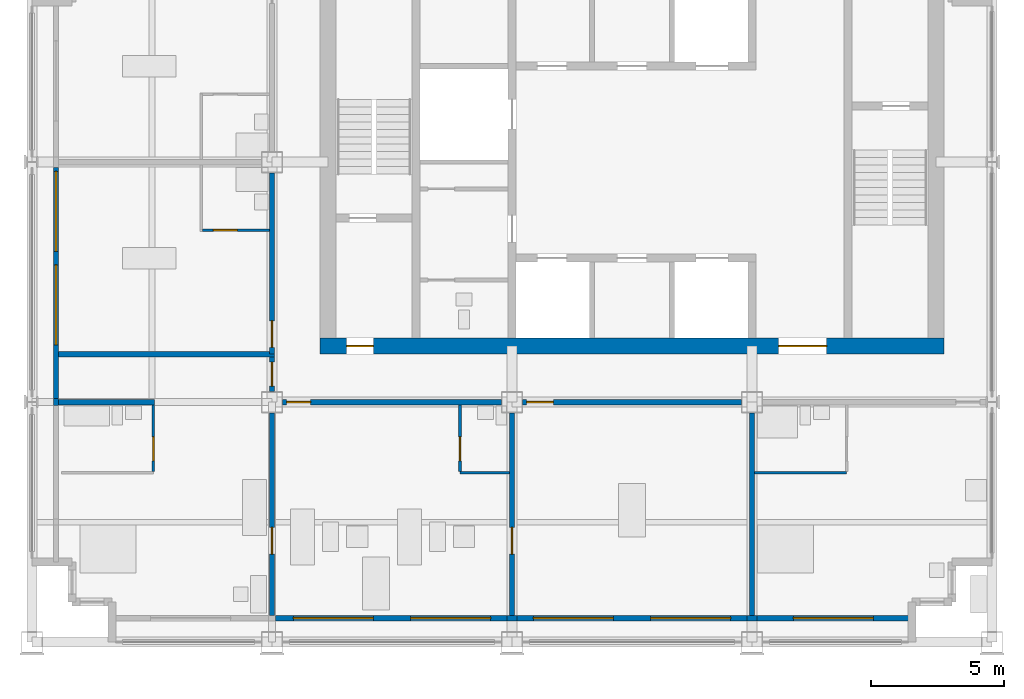
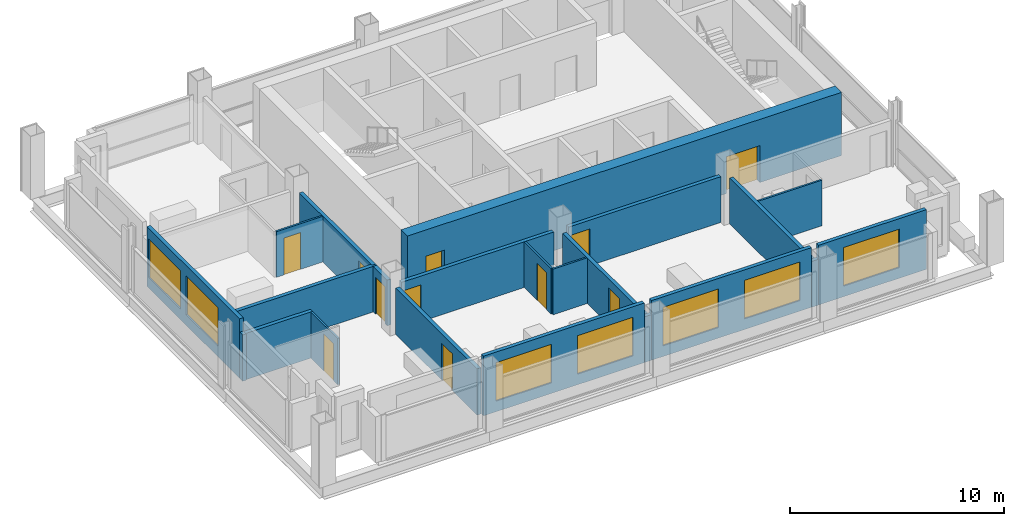
# One storey, part 6 of 11: 22 walls, 11 doors, 7 windows, 18 openings.
"""IFC4 building model written with IfcOpenShell, lengths in metres."""

from ifc_helpers import new_model, si_unit, direction, frame, frame_2d, origin, place, context, subcontext, project, spatial, rectangle, extrude, material, layer, layer_set, type_object, element, fill, save


model = new_model("IFC4")

# Units and contexts
model_context = context("Model", 3, precision=1e-05, world=origin(), true_north=direction((0.0, 1.0)))
body_context = subcontext(model_context, "Body", "Model", "MODEL_VIEW")
ifc_project = project(units=[si_unit("LENGTHUNIT", "METRE"), si_unit("AREAUNIT", "SQUARE_METRE"), si_unit("VOLUMEUNIT", "CUBIC_METRE"), si_unit("PLANEANGLEUNIT", "RADIAN"), si_unit("MASSUNIT", "GRAM", prefix="KILO")], contexts=[model_context])

# Site, building, storey
site_placement = place(None, origin())
site = spatial("IfcSite", under=ifc_project, at=site_placement, CompositionType="ELEMENT")
building_placement = place(site_placement, origin())
building = spatial("IfcBuilding", under=site, at=building_placement, Name="Loomwork Tower", CompositionType="ELEMENT")
storey_placement = place(building_placement, frame((0.0, 0.0, 262.60009765625)))
storey = spatial("IfcBuildingStorey", under=building, at=storey_placement, Name="L72", CompositionType="ELEMENT", Elevation=262.60009765625)

# Wall, openings, doors
ifc_material_1 = material(Name="Concrete 14000 psi (97 MPa)", Category="concrete")
ifc_layer_1 = layer(ifc_material_1, 0.60009765625)
ifc_layer_set_1 = layer_set([ifc_layer_1], Name="Core shear wall 600")
wall_type_1 = type_object("IfcWallType", Name="Core shear wall 600", PredefinedType="SHEAR", material=ifc_layer_set_1)
wall_1_placement = place(storey_placement, frame((10.800048828125, 11.10009765625, 0.0), z_axis=(0.0, 0.0, 1.0), x_axis=(1.0, 0.0, 0.0)))
wall_1 = element("IfcWall", 1, at=wall_1_placement, inside=storey, type_object=wall_type_1, Name="Core wall south L72", PredefinedType="SHEAR", context=body_context, shape_type="SweptSolid", body=[
    extrude(rectangle(XDim=23.39990234375, YDim=0.60009765625, at=frame_2d((11.699951171875, 0.0))), origin(), (0.0, 0.0, 1.0), 3.599853515625),
])
opening_1_placement = place(wall_1_placement, frame((1.0, 0.0, 0.0)))
opening_1 = element("IfcOpeningElement", 2, at=opening_1_placement, cuts=wall_1, Name="Opening D4", PredefinedType="OPENING", context=body_context, shape_type="SweptSolid", body=[
    extrude(rectangle(XDim=1.0, YDim=2.10009765625, at=frame_2d((0.5, 1.050048828125))), frame((0.0, 0.31005859375, 0.0), z_axis=(0.0, -1.0, 0.0), x_axis=(1.0, 0.0, 0.0)), (0.0, 0.0, 1.0), 0.6201171875),
])
opening_2_placement = place(wall_1_placement, frame((17.199951171875, 0.0, 0.0)))
opening_2 = element("IfcOpeningElement", 3, at=opening_2_placement, cuts=wall_1, Name="Opening D6", PredefinedType="OPENING", context=body_context, shape_type="SweptSolid", body=[
    extrude(rectangle(XDim=1.800048828125, YDim=2.10009765625, at=frame_2d((0.89990234375, 1.050048828125))), frame((0.0, 0.31005859375, 0.0), z_axis=(0.0, -1.0, 0.0), x_axis=(1.0, 0.0, 0.0)), (0.0, 0.0, 1.0), 0.6201171875),
])
ifc_material_2 = material(Name="Hollow metal door and frame")
door_type_1 = type_object("IfcDoorType", Name="Lobby passage double door 1800", OperationType="DOUBLE_DOOR_SINGLE_SWING", PredefinedType="DOOR", material=ifc_material_2)
door_1_placement = place(opening_2_placement, origin())
door_1 = element("IfcDoor", 4, at=door_1_placement, inside=storey, type_object=door_type_1, Name="Lobby passage door south", OperationType="DOUBLE_DOOR_SINGLE_SWING", OverallHeight=2.10009765625, OverallWidth=1.800048828125, PredefinedType="DOOR", context=body_context, shape_type="SweptSolid", body=[
    extrude(rectangle(XDim=1.800048828125, YDim=2.10009765625, at=frame_2d((0.89990234375, 1.050048828125))), frame((0.0, 0.02490234375, 0.0), z_axis=(0.0, -1.0, 0.0), x_axis=(1.0, 0.0, 0.0)), (0.0, 0.0, 1.0), 0.050048828125),
])
fill(opening_2, door_1)
ifc_material_3 = material(Name="Hollow metal door and frame")
door_type_2 = type_object("IfcDoorType", Name="Stair door 1000", OperationType="SINGLE_SWING_RIGHT", PredefinedType="DOOR", material=ifc_material_3)
door_2_placement = place(opening_1_placement, origin())
door_2 = element("IfcDoor", 5, at=door_2_placement, inside=storey, type_object=door_type_2, Name="Stair A vestibule door", OperationType="SINGLE_SWING_LEFT", OverallHeight=2.10009765625, OverallWidth=1.0, PredefinedType="DOOR", context=body_context, shape_type="SweptSolid", body=[
    extrude(rectangle(XDim=1.0, YDim=2.10009765625, at=frame_2d((0.5, 1.050048828125))), frame((0.0, 0.02490234375, 0.0), z_axis=(0.0, -1.0, 0.0), x_axis=(1.0, 0.0, 0.0)), (0.0, 0.0, 1.0), 0.050048828125),
])
fill(opening_1, door_2)

# Wall
ifc_material_4 = material(Name="Gypsum board on steel studs, one-hour", Category="steel")
ifc_layer_2 = layer(ifc_material_4, 0.199951171875)
ifc_layer_set_2 = layer_set([ifc_layer_2], Name="Corridor wall 200")
wall_type_2 = type_object("IfcWallType", Name="Corridor wall 200", PredefinedType="PARTITIONING", material=ifc_layer_set_2)
wall_2_placement = place(storey_placement, frame((1.0, 9.0, 0.0), z_axis=(0.0, 0.0, 1.0), x_axis=(1.0, 0.0, 0.0)))
element("IfcWall", 6, at=wall_2_placement, inside=storey, type_object=wall_type_2, Name="South corridor wall 1", PredefinedType="PARTITIONING", context=body_context, shape_type="SweptSolid", body=[
    extrude(rectangle(XDim=3.60009765625, YDim=0.199951171875, at=frame_2d((1.800048828125, 0.0))), origin(), (0.0, 0.0, 1.0), 2.637939453125),
])

# Wall, opening, door
wall_3_placement = place(storey_placement, frame((9.39990234375, 9.0, 0.0), z_axis=(0.0, 0.0, 1.0), x_axis=(1.0, 0.0, 0.0)))
wall_3 = element("IfcWall", 7, at=wall_3_placement, inside=storey, type_object=wall_type_2, Name="South corridor wall 2", PredefinedType="PARTITIONING", context=body_context, shape_type="SweptSolid", body=[
    extrude(rectangle(XDim=8.2001953125, YDim=0.199951171875, at=frame_2d((4.10009765625, 0.0))), origin(), (0.0, 0.0, 1.0), 2.60498046875),
])
opening_3_placement = place(wall_3_placement, frame((0.14990234375, 0.0, 0.0)))
opening_3 = element("IfcOpeningElement", 8, at=opening_3_placement, cuts=wall_3, Name="Opening D1", PredefinedType="OPENING", context=body_context, shape_type="SweptSolid", body=[
    extrude(rectangle(XDim=0.89990234375, YDim=2.10009765625, at=frame_2d((0.449951171875, 1.050048828125))), frame((0.0, 0.10986328125, 0.0), z_axis=(0.0, -1.0, 0.0), x_axis=(1.0, 0.0, 0.0)), (0.0, 0.0, 1.0), 0.219970703125),
])
ifc_material_5 = material(Name="Hollow metal door and frame")
door_type_3 = type_object("IfcDoorType", Name="Guest room entry door 900", OperationType="SINGLE_SWING_LEFT", PredefinedType="DOOR", material=ifc_material_5)
door_3_placement = place(opening_3_placement, frame((0.89990234375, 0.0, 0.0), z_axis=(0.0, 0.0, 1.0), x_axis=(-1.0, 0.0, 0.0)))
door_3 = element("IfcDoor", 9, at=door_3_placement, inside=storey, type_object=door_type_3, Name="Guest room entry door L72 2", OperationType="SINGLE_SWING_RIGHT", OverallHeight=2.10009765625, OverallWidth=0.89990234375, PredefinedType="DOOR", context=body_context, shape_type="SweptSolid", body=[
    extrude(rectangle(XDim=0.89990234375, YDim=2.10009765625, at=frame_2d((0.449951171875, 1.050048828125))), frame((0.0, 0.02490234375, 0.0), z_axis=(0.0, -1.0, 0.0), x_axis=(1.0, 0.0, 0.0)), (0.0, 0.0, 1.0), 0.050048828125),
])
fill(opening_3, door_3)

wall_4_placement = place(storey_placement, frame((18.39990234375, 9.0, 0.0), z_axis=(0.0, 0.0, 1.0), x_axis=(1.0, 0.0, 0.0)))
wall_4 = element("IfcWall", 10, at=wall_4_placement, inside=storey, type_object=wall_type_2, Name="South corridor wall 3", PredefinedType="PARTITIONING", context=body_context, shape_type="SweptSolid", body=[
    extrude(rectangle(XDim=8.2001953125, YDim=0.199951171875, at=frame_2d((4.10009765625, 0.0))), origin(), (0.0, 0.0, 1.0), 2.60498046875),
])
opening_4_placement = place(wall_4_placement, frame((0.14990234375, 0.0, 0.0)))
opening_4 = element("IfcOpeningElement", 11, at=opening_4_placement, cuts=wall_4, Name="Opening D5", PredefinedType="OPENING", context=body_context, shape_type="SweptSolid", body=[
    extrude(rectangle(XDim=1.0, YDim=2.10009765625, at=frame_2d((0.5, 1.050048828125))), frame((0.0, 0.10986328125, 0.0), z_axis=(0.0, -1.0, 0.0), x_axis=(1.0, 0.0, 0.0)), (0.0, 0.0, 1.0), 0.219970703125),
])
ifc_material_6 = material(Name="Hollow metal door and frame")
door_type_4 = type_object("IfcDoorType", Name="Service door 1000", OperationType="SINGLE_SWING_LEFT", PredefinedType="DOOR", material=ifc_material_6)
door_4_placement = place(opening_4_placement, frame((1.0, 0.0, 0.0), z_axis=(0.0, 0.0, 1.0), x_axis=(-1.0, 0.0, 0.0)))
door_4 = element("IfcDoor", 12, at=door_4_placement, inside=storey, type_object=door_type_4, Name="Presidential suite dining room door L72 3", OperationType="SINGLE_SWING_RIGHT", OverallHeight=2.10009765625, OverallWidth=1.0, PredefinedType="DOOR", context=body_context, shape_type="SweptSolid", body=[
    extrude(rectangle(XDim=1.0, YDim=2.10009765625, at=frame_2d((0.5, 1.050048828125))), frame((0.0, 0.02490234375, 0.0), z_axis=(0.0, -1.0, 0.0), x_axis=(1.0, 0.0, 0.0)), (0.0, 0.0, 1.0), 0.050048828125),
])
fill(opening_4, door_4)

wall_5_placement = place(storey_placement, frame((9.0, 10.800048828125, 0.0), z_axis=(0.0, 0.0, 1.0), x_axis=(0.0, 1.0, 0.0)))
wall_5 = element("IfcWall", 13, at=wall_5_placement, inside=storey, type_object=wall_type_2, Name="West corridor wall 1", PredefinedType="PARTITIONING", context=body_context, shape_type="SweptSolid", body=[
    extrude(rectangle(XDim=6.800048828125, YDim=0.199951171875, at=frame_2d((3.39990234375, 0.0))), origin(), (0.0, 0.0, 1.0), 2.60498046875),
])
opening_5_placement = place(wall_5_placement, frame((0.25, 0.0, 0.0)))
opening_5 = element("IfcOpeningElement", 14, at=opening_5_placement, cuts=wall_5, Name="Opening D15", PredefinedType="OPENING", context=body_context, shape_type="SweptSolid", body=[
    extrude(rectangle(XDim=1.0, YDim=2.10009765625, at=frame_2d((0.5, 1.050048828125))), frame((0.0, 0.10986328125, 0.0), z_axis=(0.0, -1.0, 0.0), x_axis=(1.0, 0.0, 0.0)), (0.0, 0.0, 1.0), 0.219970703125),
])
ifc_material_7 = material(Name="Hollow metal door and frame")
door_type_5 = type_object("IfcDoorType", Name="Fire-rated room door 1000", OperationType="SINGLE_SWING_LEFT", PredefinedType="DOOR", material=ifc_material_7)
door_5_placement = place(opening_5_placement, origin())
door_5 = element("IfcDoor", 15, at=door_5_placement, inside=storey, type_object=door_type_5, Name="Spa treatment room door L72 5", OperationType="SINGLE_SWING_LEFT", OverallHeight=2.10009765625, OverallWidth=1.0, PredefinedType="DOOR", context=body_context, shape_type="SweptSolid", body=[
    extrude(rectangle(XDim=1.0, YDim=2.10009765625, at=frame_2d((0.5, 1.050048828125))), frame((0.0, 0.02490234375, 0.0), z_axis=(0.0, -1.0, 0.0), x_axis=(1.0, 0.0, 0.0)), (0.0, 0.0, 1.0), 0.050048828125),
])
fill(opening_5, door_5)

# Wall
wall_6_placement = place(storey_placement, frame((1.0, 10.800048828125, 0.0), z_axis=(0.0, 0.0, 1.0), x_axis=(1.0, 0.0, 0.0)))
element("IfcWall", 16, at=wall_6_placement, inside=storey, type_object=wall_type_2, Name="West band end wall S", PredefinedType="PARTITIONING", context=body_context, shape_type="SweptSolid", body=[
    extrude(rectangle(XDim=8.10009765625, YDim=0.199951171875, at=frame_2d((4.050048828125, 0.0))), origin(), (0.0, 0.0, 1.0), 2.60400390625),
])

# Wall, opening, door
wall_7_placement = place(storey_placement, frame((9.0, 9.39990234375, 0.0), z_axis=(0.0, 0.0, 1.0), x_axis=(0.0, 1.0, 0.0)))
wall_7 = element("IfcWall", 17, at=wall_7_placement, inside=storey, type_object=wall_type_2, Name="Corner suite foyer wall", PredefinedType="PARTITIONING", context=body_context, shape_type="SweptSolid", body=[
    extrude(rectangle(XDim=1.300048828125, YDim=0.199951171875, at=frame_2d((0.64990234375, 0.0))), origin(), (0.0, 0.0, 1.0), 2.60498046875),
])
opening_6_placement = place(wall_7_placement, frame((0.199951171875, 0.0, 0.0)))
opening_6 = element("IfcOpeningElement", 18, at=opening_6_placement, cuts=wall_7, Name="Opening D1", PredefinedType="OPENING", context=body_context, shape_type="SweptSolid", body=[
    extrude(rectangle(XDim=0.89990234375, YDim=2.10009765625, at=frame_2d((0.449951171875, 1.050048828125))), frame((0.0, 0.10986328125, 0.0), z_axis=(0.0, -1.0, 0.0), x_axis=(1.0, 0.0, 0.0)), (0.0, 0.0, 1.0), 0.219970703125),
])
door_6_placement = place(opening_6_placement, origin())
door_6 = element("IfcDoor", 19, at=door_6_placement, inside=storey, type_object=door_type_3, Name="Guest room entry door L72 1", OperationType="SINGLE_SWING_RIGHT", OverallHeight=2.10009765625, OverallWidth=0.89990234375, PredefinedType="DOOR", context=body_context, shape_type="SweptSolid", body=[
    extrude(rectangle(XDim=0.89990234375, YDim=2.10009765625, at=frame_2d((0.449951171875, 1.050048828125))), frame((0.0, 0.02490234375, 0.0), z_axis=(0.0, -1.0, 0.0), x_axis=(1.0, 0.0, 0.0)), (0.0, 0.0, 1.0), 0.050048828125),
])
fill(opening_6, door_6)

ifc_material_8 = material(Name="Cement board on steel studs", Category="steel")
ifc_layer_3 = layer(ifc_material_8, 0.10009765625)
ifc_layer_set_3 = layer_set([ifc_layer_3], Name="En-suite partition 100")
wall_type_3 = type_object("IfcWallType", Name="En-suite partition 100", PredefinedType="PARTITIONING", material=ifc_layer_set_3)
wall_8_placement = place(storey_placement, frame((4.550048828125, 8.89990234375, 0.0), z_axis=(0.0, 0.0, 1.0), x_axis=(0.0, -1.0, 0.0)))
wall_8 = element("IfcWall", 20, at=wall_8_placement, inside=storey, type_object=wall_type_3, Name="En-suite side wall L72 room 1", PredefinedType="PARTITIONING", context=body_context, shape_type="SweptSolid", body=[
    extrude(rectangle(XDim=2.5, YDim=0.10009765625, at=frame_2d((1.25, 0.0))), origin(), (0.0, 0.0, 1.0), 2.637939453125),
])
opening_7_placement = place(wall_8_placement, frame((1.199951171875, 0.0, 0.0)))
opening_7 = element("IfcOpeningElement", 21, at=opening_7_placement, cuts=wall_8, Name="Opening D2", PredefinedType="OPENING", context=body_context, shape_type="SweptSolid", body=[
    extrude(rectangle(XDim=0.89990234375, YDim=2.10009765625, at=frame_2d((0.449951171875, 1.050048828125))), frame((0.0, 0.06005859375, 0.0), z_axis=(0.0, -1.0, 0.0), x_axis=(1.0, 0.0, 0.0)), (0.0, 0.0, 1.0), 0.1201171875),
])
ifc_material_9 = material(Name="Hollow metal door and frame")
door_type_6 = type_object("IfcDoorType", Name="En-suite door 900", OperationType="SINGLE_SWING_LEFT", PredefinedType="DOOR", material=ifc_material_9)
door_7_placement = place(opening_7_placement, frame((0.89990234375, 0.0, 0.0), z_axis=(0.0, 0.0, 1.0), x_axis=(-1.0, 0.0, 0.0)))
door_7 = element("IfcDoor", 22, at=door_7_placement, inside=storey, type_object=door_type_6, Name="En-suite door room 1", OperationType="SINGLE_SWING_LEFT", OverallHeight=2.10009765625, OverallWidth=0.89990234375, PredefinedType="DOOR", context=body_context, shape_type="SweptSolid", body=[
    extrude(rectangle(XDim=0.89990234375, YDim=2.10009765625, at=frame_2d((0.449951171875, 1.050048828125))), frame((0.0, 0.02490234375, 0.0), z_axis=(0.0, -1.0, 0.0), x_axis=(1.0, 0.0, 0.0)), (0.0, 0.0, 1.0), 0.050048828125),
])
fill(opening_7, door_7)

# Wall
wall_9_placement = place(storey_placement, frame((16.050048828125, 6.35009765625, 0.0), z_axis=(0.0, 0.0, 1.0), x_axis=(1.0, 0.0, 0.0)))
element("IfcWall", 23, at=wall_9_placement, inside=storey, type_object=wall_type_3, Name="En-suite wall L72 room 2", PredefinedType="PARTITIONING", context=body_context, shape_type="SweptSolid", body=[
    extrude(rectangle(XDim=1.849853515625, YDim=0.10009765625, at=frame_2d((0.9248046875, 0.0))), origin(), (0.0, 0.0, 1.0), 2.60400390625),
])

# Wall, opening, door
wall_10_placement = place(storey_placement, frame((16.050048828125, 8.89990234375, 0.0), z_axis=(0.0, 0.0, 1.0), x_axis=(0.0, -1.0, 0.0)))
wall_10 = element("IfcWall", 24, at=wall_10_placement, inside=storey, type_object=wall_type_3, Name="En-suite side wall L72 room 2", PredefinedType="PARTITIONING", context=body_context, shape_type="SweptSolid", body=[
    extrude(rectangle(XDim=2.5, YDim=0.10009765625, at=frame_2d((1.25, 0.0))), origin(), (0.0, 0.0, 1.0), 2.60400390625),
])
opening_8_placement = place(wall_10_placement, frame((1.199951171875, 0.0, 0.0)))
opening_8 = element("IfcOpeningElement", 25, at=opening_8_placement, cuts=wall_10, Name="Opening D2", PredefinedType="OPENING", context=body_context, shape_type="SweptSolid", body=[
    extrude(rectangle(XDim=0.89990234375, YDim=2.10009765625, at=frame_2d((0.449951171875, 1.050048828125))), frame((0.0, 0.06005859375, 0.0), z_axis=(0.0, -1.0, 0.0), x_axis=(1.0, 0.0, 0.0)), (0.0, 0.0, 1.0), 0.1201171875),
])
door_8_placement = place(opening_8_placement, origin())
door_8 = element("IfcDoor", 26, at=door_8_placement, inside=storey, type_object=door_type_6, Name="Suite powder room door room 2", OperationType="SINGLE_SWING_RIGHT", OverallHeight=2.10009765625, OverallWidth=0.89990234375, PredefinedType="DOOR", context=body_context, shape_type="SweptSolid", body=[
    extrude(rectangle(XDim=0.89990234375, YDim=2.10009765625, at=frame_2d((0.449951171875, 1.050048828125))), frame((0.0, 0.02490234375, 0.0), z_axis=(0.0, -1.0, 0.0), x_axis=(1.0, 0.0, 0.0)), (0.0, 0.0, 1.0), 0.050048828125),
])
fill(opening_8, door_8)

# Wall
wall_11_placement = place(storey_placement, frame((27.10009765625, 6.35009765625, 0.0), z_axis=(0.0, 0.0, 1.0), x_axis=(1.0, 0.0, 0.0)))
element("IfcWall", 27, at=wall_11_placement, inside=storey, type_object=wall_type_3, Name="En-suite wall L72 room 4", PredefinedType="PARTITIONING", context=body_context, shape_type="SweptSolid", body=[
    extrude(rectangle(XDim=3.449951171875, YDim=0.10009765625, at=frame_2d((1.72509765625, 0.0))), origin(), (0.0, 0.0, 1.0), 2.60400390625),
])

# Wall, opening, door
wall_12_placement = place(storey_placement, frame((8.89990234375, 15.449951171875, 0.0), z_axis=(0.0, 0.0, 1.0), x_axis=(-1.0, 0.0, 0.0)))
wall_12 = element("IfcWall", 28, at=wall_12_placement, inside=storey, type_object=wall_type_3, Name="En-suite side wall L72 room 5", PredefinedType="PARTITIONING", context=body_context, shape_type="SweptSolid", body=[
    extrude(rectangle(XDim=2.5, YDim=0.10009765625, at=frame_2d((1.25, 0.0))), origin(), (0.0, 0.0, 1.0), 2.60400390625),
])
opening_9_placement = place(wall_12_placement, frame((1.199951171875, 0.0, 0.0)))
opening_9 = element("IfcOpeningElement", 29, at=opening_9_placement, cuts=wall_12, Name="Opening D2", PredefinedType="OPENING", context=body_context, shape_type="SweptSolid", body=[
    extrude(rectangle(XDim=0.89990234375, YDim=2.10009765625, at=frame_2d((0.449951171875, 1.050048828125))), frame((0.0, 0.06005859375, 0.0), z_axis=(0.0, -1.0, 0.0), x_axis=(1.0, 0.0, 0.0)), (0.0, 0.0, 1.0), 0.1201171875),
])
door_9_placement = place(opening_9_placement, frame((0.89990234375, 0.0, 0.0), z_axis=(0.0, 0.0, 1.0), x_axis=(-1.0, 0.0, 0.0)))
door_9 = element("IfcDoor", 30, at=door_9_placement, inside=storey, type_object=door_type_6, Name="Treatment shower room door room 5", OperationType="SINGLE_SWING_LEFT", OverallHeight=2.10009765625, OverallWidth=0.89990234375, PredefinedType="DOOR", context=body_context, shape_type="SweptSolid", body=[
    extrude(rectangle(XDim=0.89990234375, YDim=2.10009765625, at=frame_2d((0.449951171875, 1.050048828125))), frame((0.0, 0.02490234375, 0.0), z_axis=(0.0, -1.0, 0.0), x_axis=(1.0, 0.0, 0.0)), (0.0, 0.0, 1.0), 0.050048828125),
])
fill(opening_9, door_9)

ifc_material_10 = material(Name="Gypsum board on steel studs, acoustic", Category="steel")
ifc_layer_4 = layer(ifc_material_10, 0.199951171875)
ifc_layer_set_4 = layer_set([ifc_layer_4], Name="Guest room party wall 200")
wall_type_4 = type_object("IfcWallType", Name="Guest room party wall 200", PredefinedType="PARTITIONING", material=ifc_layer_set_4)
wall_13_placement = place(storey_placement, frame((9.0, 8.60009765625, 0.0), z_axis=(0.0, 0.0, 1.0), x_axis=(0.0, -1.0, 0.0)))
wall_13 = element("IfcWall", 31, at=wall_13_placement, inside=storey, type_object=wall_type_4, Name="Guest room party wall S 9", PredefinedType="PARTITIONING", context=body_context, shape_type="SweptSolid", body=[
    extrude(rectangle(XDim=7.60009765625, YDim=0.199951171875, at=frame_2d((3.800048828125, 0.0))), origin(), (0.0, 0.0, 1.0), 2.637939453125),
])
opening_10_placement = place(wall_13_placement, frame((4.300048828125, 0.0, 0.0)))
opening_10 = element("IfcOpeningElement", 32, at=opening_10_placement, cuts=wall_13, Name="Opening D7", PredefinedType="OPENING", context=body_context, shape_type="SweptSolid", body=[
    extrude(rectangle(XDim=1.0, YDim=2.10009765625, at=frame_2d((0.5, 1.050048828125))), frame((0.0, 0.10986328125, 0.0), z_axis=(0.0, -1.0, 0.0), x_axis=(1.0, 0.0, 0.0)), (0.0, 0.0, 1.0), 0.219970703125),
])
ifc_material_11 = material(Name="Hollow metal door and frame")
door_type_7 = type_object("IfcDoorType", Name="Room door 1000", OperationType="SINGLE_SWING_LEFT", PredefinedType="DOOR", material=ifc_material_11)
door_10_placement = place(opening_10_placement, origin())
door_10 = element("IfcDoor", 33, at=door_10_placement, inside=storey, type_object=door_type_7, Name="Suite connecting door L72 S 9", OperationType="SINGLE_SWING_RIGHT", OverallHeight=2.10009765625, OverallWidth=1.0, PredefinedType="DOOR", context=body_context, shape_type="SweptSolid", body=[
    extrude(rectangle(XDim=1.0, YDim=2.10009765625, at=frame_2d((0.5, 1.050048828125))), frame((0.0, 0.02490234375, 0.0), z_axis=(0.0, -1.0, 0.0), x_axis=(1.0, 0.0, 0.0)), (0.0, 0.0, 1.0), 0.050048828125),
])
fill(opening_10, door_10)

wall_14_placement = place(storey_placement, frame((18.0, 8.60009765625, 0.0), z_axis=(0.0, 0.0, 1.0), x_axis=(0.0, -1.0, 0.0)))
wall_14 = element("IfcWall", 34, at=wall_14_placement, inside=storey, type_object=wall_type_4, Name="Guest room party wall S 18", PredefinedType="PARTITIONING", context=body_context, shape_type="SweptSolid", body=[
    extrude(rectangle(XDim=7.60009765625, YDim=0.199951171875, at=frame_2d((3.800048828125, 0.0))), origin(), (0.0, 0.0, 1.0), 2.60498046875),
])
opening_11_placement = place(wall_14_placement, frame((4.300048828125, 0.0, 0.0)))
opening_11 = element("IfcOpeningElement", 35, at=opening_11_placement, cuts=wall_14, Name="Opening D7", PredefinedType="OPENING", context=body_context, shape_type="SweptSolid", body=[
    extrude(rectangle(XDim=1.0, YDim=2.10009765625, at=frame_2d((0.5, 1.050048828125))), frame((0.0, 0.10986328125, 0.0), z_axis=(0.0, -1.0, 0.0), x_axis=(1.0, 0.0, 0.0)), (0.0, 0.0, 1.0), 0.219970703125),
])
door_11_placement = place(opening_11_placement, frame((1.0, 0.0, 0.0), z_axis=(0.0, 0.0, 1.0), x_axis=(-1.0, 0.0, 0.0)))
door_11 = element("IfcDoor", 36, at=door_11_placement, inside=storey, type_object=door_type_7, Name="Suite connecting door L72 S 18", OperationType="SINGLE_SWING_RIGHT", OverallHeight=2.10009765625, OverallWidth=1.0, PredefinedType="DOOR", context=body_context, shape_type="SweptSolid", body=[
    extrude(rectangle(XDim=1.0, YDim=2.10009765625, at=frame_2d((0.5, 1.050048828125))), frame((0.0, 0.02490234375, 0.0), z_axis=(0.0, -1.0, 0.0), x_axis=(1.0, 0.0, 0.0)), (0.0, 0.0, 1.0), 0.050048828125),
])
fill(opening_11, door_11)

# Wall
wall_15_placement = place(storey_placement, frame((27.0, 8.60009765625, 0.0), z_axis=(0.0, 0.0, 1.0), x_axis=(0.0, -1.0, 0.0)))
element("IfcWall", 37, at=wall_15_placement, inside=storey, type_object=wall_type_4, Name="Guest room party wall S 27", PredefinedType="PARTITIONING", context=body_context, shape_type="SweptSolid", body=[
    extrude(rectangle(XDim=7.60009765625, YDim=0.199951171875, at=frame_2d((3.800048828125, 0.0))), origin(), (0.0, 0.0, 1.0), 2.60498046875),
])

# Wall, openings, windows
ifc_material_12 = material(Name="Insulated steel stud wall with gypsum lining", Category="steel")
ifc_layer_5 = layer(ifc_material_12, 0.199951171875)
ifc_layer_set_5 = layer_set([ifc_layer_5], Name="Inner skin wall 200")
wall_type_5 = type_object("IfcWallType", Name="Inner skin wall 200", PredefinedType="SOLIDWALL", material=ifc_layer_set_5)
wall_16_placement = place(storey_placement, frame((9.13525390625, 0.89990234375, 0.0), z_axis=(0.0, 0.0, 1.0), x_axis=(1.0, 0.0, 0.0)))
wall_16 = element("IfcWall", 38, at=wall_16_placement, inside=storey, type_object=wall_type_5, Name="Inner skin wall S bay 3", PredefinedType="SOLIDWALL", context=body_context, shape_type="SweptSolid", body=[
    extrude(rectangle(XDim=8.6708984375, YDim=0.199951171875, at=frame_2d((4.33544921875, 0.0))), origin(), (0.0, 0.0, 1.0), 3.39990234375),
])
opening_12_placement = place(wall_16_placement, frame((0.664794921875, 0.0, 0.60009765625)))
opening_12 = element("IfcOpeningElement", 39, at=opening_12_placement, cuts=wall_16, Name="Opening CH1", PredefinedType="OPENING", context=body_context, shape_type="SweptSolid", body=[
    extrude(rectangle(XDim=3.0, YDim=2.199951171875, at=frame_2d((1.5, 1.10009765625))), frame((0.0, 0.10986328125, 0.0), z_axis=(0.0, -1.0, 0.0), x_axis=(1.0, 0.0, 0.0)), (0.0, 0.0, 1.0), 0.219970703125),
])
opening_13_placement = place(wall_16_placement, frame((5.064697265625, 0.0, 0.60009765625)))
opening_13 = element("IfcOpeningElement", 40, at=opening_13_placement, cuts=wall_16, Name="Opening CH1", PredefinedType="OPENING", context=body_context, shape_type="SweptSolid", body=[
    extrude(rectangle(XDim=3.0, YDim=2.199951171875, at=frame_2d((1.5, 1.10009765625))), frame((0.0, 0.10986328125, 0.0), z_axis=(0.0, -1.0, 0.0), x_axis=(1.0, 0.0, 0.0)), (0.0, 0.0, 1.0), 0.219970703125),
])
ifc_material_13 = material(Name="Aluminium frame with clear insulated glass", Category="aluminium")
window_type = type_object("IfcWindowType", Name="Chicago window 3000", PartitioningType="TRIPLE_PANEL_VERTICAL", PredefinedType="WINDOW", material=ifc_material_13)
window_1_placement = place(opening_12_placement, origin())
window_1 = element("IfcWindow", 41, at=window_1_placement, inside=storey, type_object=window_type, Name="Chicago window L72 bay 2", OverallHeight=2.199951171875, OverallWidth=3.0, PartitioningType="TRIPLE_PANEL_VERTICAL", PredefinedType="WINDOW", context=body_context, shape_type="SweptSolid", body=[
    extrude(rectangle(XDim=3.0, YDim=2.199951171875, at=frame_2d((1.5, 1.10009765625))), frame((0.0, 0.030029296875, 0.0), z_axis=(0.0, -1.0, 0.0), x_axis=(1.0, 0.0, 0.0)), (0.0, 0.0, 1.0), 0.06005859375),
])
fill(opening_12, window_1)
window_2_placement = place(opening_13_placement, origin())
window_2 = element("IfcWindow", 42, at=window_2_placement, inside=storey, type_object=window_type, Name="Chicago window L72 bay 2", OverallHeight=2.199951171875, OverallWidth=3.0, PartitioningType="TRIPLE_PANEL_VERTICAL", PredefinedType="WINDOW", context=body_context, shape_type="SweptSolid", body=[
    extrude(rectangle(XDim=3.0, YDim=2.199951171875, at=frame_2d((1.5, 1.10009765625))), frame((0.0, 0.030029296875, 0.0), z_axis=(0.0, -1.0, 0.0), x_axis=(1.0, 0.0, 0.0)), (0.0, 0.0, 1.0), 0.06005859375),
])
fill(opening_13, window_2)

# Wall
wall_17_placement = place(storey_placement, frame((17.80615234375, 0.89990234375, 0.0), z_axis=(0.0, 0.0, 1.0), x_axis=(1.0, 0.0, 0.0)))
element("IfcWall", 43, at=wall_17_placement, inside=storey, type_object=wall_type_5, Name="Inner skin wall S bay 4", PredefinedType="SOLIDWALL", context=body_context, shape_type="SweptSolid", body=[
    extrude(rectangle(XDim=0.3876953125, YDim=0.199951171875, at=frame_2d((0.19384765625, 0.0))), origin(), (0.0, 0.0, 1.0), 2.60400390625),
])

# Wall, openings, windows
wall_18_placement = place(storey_placement, frame((18.19384765625, 0.89990234375, 0.0), z_axis=(0.0, 0.0, 1.0), x_axis=(1.0, 0.0, 0.0)))
wall_18 = element("IfcWall", 44, at=wall_18_placement, inside=storey, type_object=wall_type_5, Name="Inner skin wall S bay 5", PredefinedType="SOLIDWALL", context=body_context, shape_type="SweptSolid", body=[
    extrude(rectangle(XDim=8.6123046875, YDim=0.199951171875, at=frame_2d((4.30615234375, 0.0))), origin(), (0.0, 0.0, 1.0), 3.39990234375),
])
opening_14_placement = place(wall_18_placement, frame((0.606201171875, 0.0, 0.60009765625)))
opening_14 = element("IfcOpeningElement", 45, at=opening_14_placement, cuts=wall_18, Name="Opening CH1", PredefinedType="OPENING", context=body_context, shape_type="SweptSolid", body=[
    extrude(rectangle(XDim=3.0, YDim=2.199951171875, at=frame_2d((1.5, 1.10009765625))), frame((0.0, 0.10986328125, 0.0), z_axis=(0.0, -1.0, 0.0), x_axis=(1.0, 0.0, 0.0)), (0.0, 0.0, 1.0), 0.219970703125),
])
opening_15_placement = place(wall_18_placement, frame((5.006103515625, 0.0, 0.60009765625)))
opening_15 = element("IfcOpeningElement", 46, at=opening_15_placement, cuts=wall_18, Name="Opening CH1", PredefinedType="OPENING", context=body_context, shape_type="SweptSolid", body=[
    extrude(rectangle(XDim=3.0, YDim=2.199951171875, at=frame_2d((1.5, 1.10009765625))), frame((0.0, 0.10986328125, 0.0), z_axis=(0.0, -1.0, 0.0), x_axis=(1.0, 0.0, 0.0)), (0.0, 0.0, 1.0), 0.219970703125),
])
window_3_placement = place(opening_14_placement, origin())
window_3 = element("IfcWindow", 47, at=window_3_placement, inside=storey, type_object=window_type, Name="Chicago window L72 bay 3", OverallHeight=2.199951171875, OverallWidth=3.0, PartitioningType="TRIPLE_PANEL_VERTICAL", PredefinedType="WINDOW", context=body_context, shape_type="SweptSolid", body=[
    extrude(rectangle(XDim=3.0, YDim=2.199951171875, at=frame_2d((1.5, 1.10009765625))), frame((0.0, 0.030029296875, 0.0), z_axis=(0.0, -1.0, 0.0), x_axis=(1.0, 0.0, 0.0)), (0.0, 0.0, 1.0), 0.06005859375),
])
fill(opening_14, window_3)
window_4_placement = place(opening_15_placement, origin())
window_4 = element("IfcWindow", 48, at=window_4_placement, inside=storey, type_object=window_type, Name="Chicago window L72 bay 3", OverallHeight=2.199951171875, OverallWidth=3.0, PartitioningType="TRIPLE_PANEL_VERTICAL", PredefinedType="WINDOW", context=body_context, shape_type="SweptSolid", body=[
    extrude(rectangle(XDim=3.0, YDim=2.199951171875, at=frame_2d((1.5, 1.10009765625))), frame((0.0, 0.030029296875, 0.0), z_axis=(0.0, -1.0, 0.0), x_axis=(1.0, 0.0, 0.0)), (0.0, 0.0, 1.0), 0.06005859375),
])
fill(opening_15, window_4)

# Wall
wall_19_placement = place(storey_placement, frame((26.80615234375, 0.89990234375, 0.0), z_axis=(0.0, 0.0, 1.0), x_axis=(1.0, 0.0, 0.0)))
element("IfcWall", 49, at=wall_19_placement, inside=storey, type_object=wall_type_5, Name="Inner skin wall S bay 6", PredefinedType="SOLIDWALL", context=body_context, shape_type="SweptSolid", body=[
    extrude(rectangle(XDim=0.3876953125, YDim=0.199951171875, at=frame_2d((0.19384765625, 0.0))), origin(), (0.0, 0.0, 1.0), 2.60400390625),
])

# Wall, opening, window
wall_20_placement = place(storey_placement, frame((27.19384765625, 0.89990234375, 0.0), z_axis=(0.0, 0.0, 1.0), x_axis=(1.0, 0.0, 0.0)))
wall_20 = element("IfcWall", 50, at=wall_20_placement, inside=storey, type_object=wall_type_5, Name="Inner skin wall S bay 7", PredefinedType="SOLIDWALL", context=body_context, shape_type="SweptSolid", body=[
    extrude(rectangle(XDim=5.80615234375, YDim=0.199951171875, at=frame_2d((2.903076171875, 0.0))), origin(), (0.0, 0.0, 1.0), 3.39990234375),
])
opening_16_placement = place(wall_20_placement, frame((1.356201171875, 0.0, 0.60009765625)))
opening_16 = element("IfcOpeningElement", 51, at=opening_16_placement, cuts=wall_20, Name="Opening CH1", PredefinedType="OPENING", context=body_context, shape_type="SweptSolid", body=[
    extrude(rectangle(XDim=3.0, YDim=2.199951171875, at=frame_2d((1.5, 1.10009765625))), frame((0.0, 0.10986328125, 0.0), z_axis=(0.0, -1.0, 0.0), x_axis=(1.0, 0.0, 0.0)), (0.0, 0.0, 1.0), 0.219970703125),
])
window_5_placement = place(opening_16_placement, origin())
window_5 = element("IfcWindow", 52, at=window_5_placement, inside=storey, type_object=window_type, Name="Chicago window L72 bay 4", OverallHeight=2.199951171875, OverallWidth=3.0, PartitioningType="TRIPLE_PANEL_VERTICAL", PredefinedType="WINDOW", context=body_context, shape_type="SweptSolid", body=[
    extrude(rectangle(XDim=3.0, YDim=2.199951171875, at=frame_2d((1.5, 1.10009765625))), frame((0.0, 0.030029296875, 0.0), z_axis=(0.0, -1.0, 0.0), x_axis=(1.0, 0.0, 0.0)), (0.0, 0.0, 1.0), 0.06005859375),
])
fill(opening_16, window_5)

# Wall
wall_21_placement = place(storey_placement, frame((0.89990234375, 8.86474609375, 0.0), z_axis=(0.0, 0.0, 1.0), x_axis=(0.0, 1.0, 0.0)))
element("IfcWall", 53, at=wall_21_placement, inside=storey, type_object=wall_type_5, Name="Inner skin wall W bay 4", PredefinedType="SOLIDWALL", context=body_context, shape_type="SweptSolid", body=[
    extrude(rectangle(XDim=0.2705078125, YDim=0.199951171875, at=frame_2d((0.13525390625, 0.0))), origin(), (0.0, 0.0, 1.0), 2.637939453125),
])

# Wall, openings, windows
wall_22_placement = place(storey_placement, frame((0.89990234375, 9.13525390625, 0.0), z_axis=(0.0, 0.0, 1.0), x_axis=(0.0, 1.0, 0.0)))
wall_22 = element("IfcWall", 54, at=wall_22_placement, inside=storey, type_object=wall_type_5, Name="Inner skin wall W bay 5", PredefinedType="SOLIDWALL", context=body_context, shape_type="SweptSolid", body=[
    extrude(rectangle(XDim=8.6708984375, YDim=0.199951171875, at=frame_2d((4.33544921875, 0.0))), origin(), (0.0, 0.0, 1.0), 3.39990234375),
])
opening_17_placement = place(wall_22_placement, frame((2.0146484375, 0.0, 0.60009765625)))
opening_17 = element("IfcOpeningElement", 55, at=opening_17_placement, cuts=wall_22, Name="Opening CH1", PredefinedType="OPENING", context=body_context, shape_type="SweptSolid", body=[
    extrude(rectangle(XDim=3.0, YDim=2.199951171875, at=frame_2d((1.5, 1.10009765625))), frame((0.0, 0.10986328125, 0.0), z_axis=(0.0, -1.0, 0.0), x_axis=(1.0, 0.0, 0.0)), (0.0, 0.0, 1.0), 0.219970703125),
])
opening_18_placement = place(wall_22_placement, frame((5.5146484375, 0.0, 0.60009765625)))
opening_18 = element("IfcOpeningElement", 56, at=opening_18_placement, cuts=wall_22, Name="Opening CH1", PredefinedType="OPENING", context=body_context, shape_type="SweptSolid", body=[
    extrude(rectangle(XDim=3.0, YDim=2.199951171875, at=frame_2d((1.5, 1.10009765625))), frame((0.0, 0.10986328125, 0.0), z_axis=(0.0, -1.0, 0.0), x_axis=(1.0, 0.0, 0.0)), (0.0, 0.0, 1.0), 0.219970703125),
])
window_6_placement = place(opening_17_placement, origin())
window_6 = element("IfcWindow", 57, at=window_6_placement, inside=storey, type_object=window_type, Name="Chicago window L72 bay 5", OverallHeight=2.199951171875, OverallWidth=3.0, PartitioningType="TRIPLE_PANEL_VERTICAL", PredefinedType="WINDOW", context=body_context, shape_type="SweptSolid", body=[
    extrude(rectangle(XDim=3.0, YDim=2.199951171875, at=frame_2d((1.5, 1.10009765625))), frame((0.0, 0.030029296875, 0.0), z_axis=(0.0, -1.0, 0.0), x_axis=(1.0, 0.0, 0.0)), (0.0, 0.0, 1.0), 0.06005859375),
])
fill(opening_17, window_6)
window_7_placement = place(opening_18_placement, origin())
window_7 = element("IfcWindow", 58, at=window_7_placement, inside=storey, type_object=window_type, Name="Chicago window L72 bay 5", OverallHeight=2.199951171875, OverallWidth=3.0, PartitioningType="TRIPLE_PANEL_VERTICAL", PredefinedType="WINDOW", context=body_context, shape_type="SweptSolid", body=[
    extrude(rectangle(XDim=3.0, YDim=2.199951171875, at=frame_2d((1.5, 1.10009765625))), frame((0.0, 0.030029296875, 0.0), z_axis=(0.0, -1.0, 0.0), x_axis=(1.0, 0.0, 0.0)), (0.0, 0.0, 1.0), 0.06005859375),
])
fill(opening_18, window_7)

save(model, "model.ifc")
